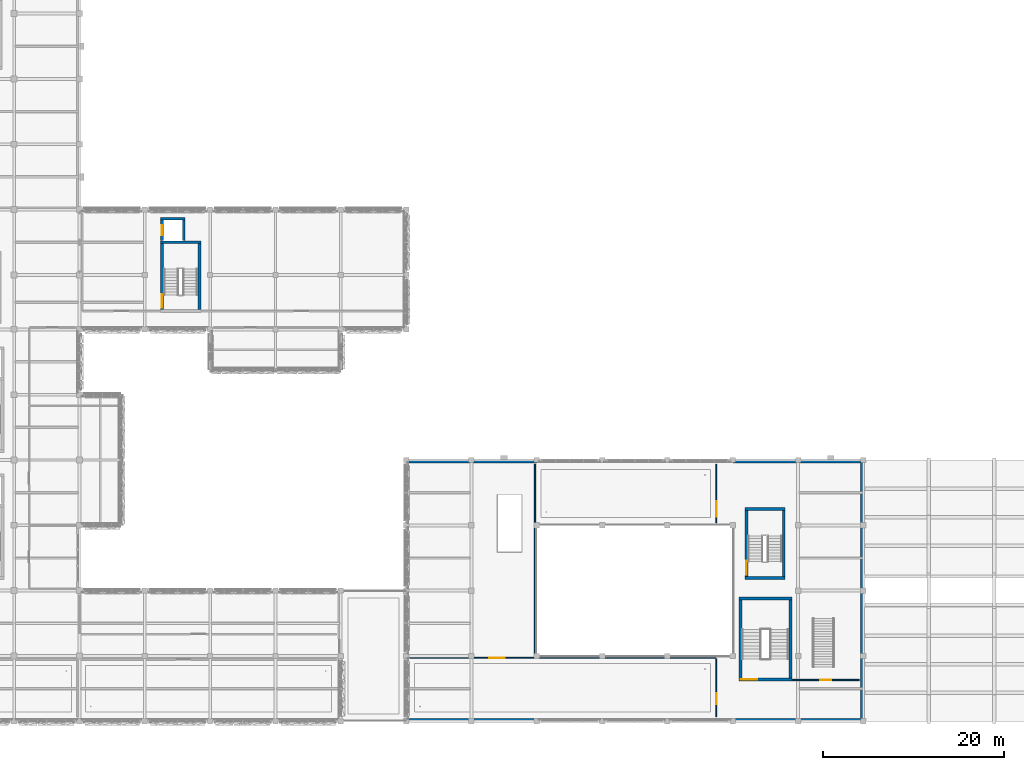
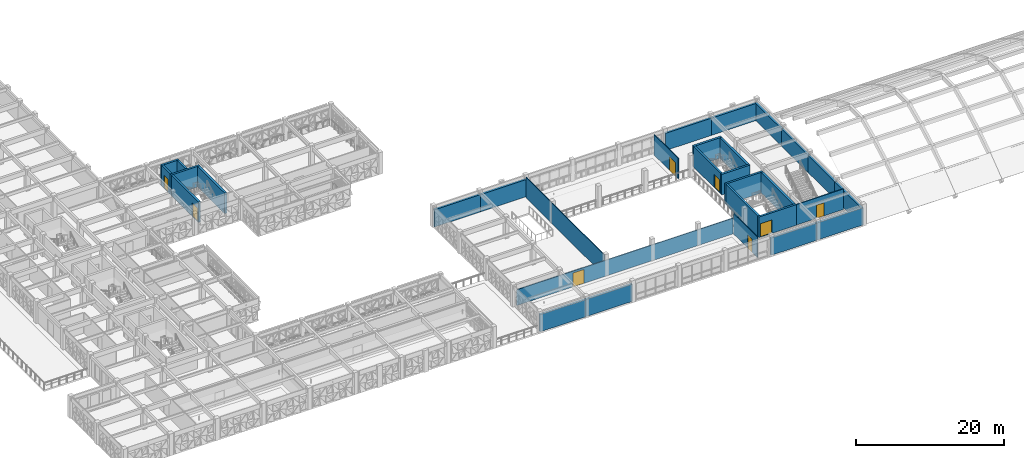
# One storey, part 46 of 85: 31 walls, 8 doors, 8 openings.
"""IFC4 building model written with IfcOpenShell, lengths in metres."""

import ifcopenshell
import ifcopenshell.guid

model = None  # the IFC model being written
_history = None  # IfcOwnerHistory: only IFC2X3 demands one
_inside = {}  # id of a spatial element -> (the spatial element, [elements in it])
_under = {}  # id of a project, library or spatial element -> (it, [spatial elements below it])
_declared = {}  # id of a project -> (the project, [libraries it declares])
_typed = {}  # id of a type object -> (the type object, [elements of that type])
_made_of = {}  # id of a material, layer set ... -> (it, [elements and type objects made of it])


def new_model(schema):
    """Start an empty IFC model of exactly this schema.

    Asked for "IFC4X3", IfcOpenShell would pick the latest addendum, in which some entities
    have other attributes; the version numbers below select the first issue.
    IFC2X3 requires an IfcOwnerHistory on every rooted entity: one is made here for all.
    """
    global model, _history
    if schema == "IFC4X3":
        model = ifcopenshell.file(schema_version=(4, 3, 0, 0))
    else:
        model = ifcopenshell.file(schema=schema)
    _inside.clear()
    _under.clear()
    _declared.clear()
    _typed.clear()
    _made_of.clear()
    _history = None
    if model.schema == "IFC2X3":
        org = make("IfcOrganization", Name="unknown")
        user = make(
            "IfcPersonAndOrganization",
            ThePerson=make("IfcPerson", FamilyName="unknown"),
            TheOrganization=org,
        )
        app = make(
            "IfcApplication",
            ApplicationDeveloper=org,
            Version="unknown",
            ApplicationFullName="unknown",
            ApplicationIdentifier="unknown",
        )
        _history = make(
            "IfcOwnerHistory",
            OwningUser=user,
            OwningApplication=app,
            ChangeAction="ADDED",
            CreationDate=0,
        )
    return model


def make(cls, **values):
    """One entity of the class cls with the attributes given. An attribute that is None is left unset."""
    return model.create_entity(
        cls, **{name: value for name, value in values.items() if value is not None}
    )


def rooted(cls, **values):
    """An entity with a GlobalId (a new one), such as an element, a storey or a relation."""
    return make(cls, GlobalId=ifcopenshell.guid.new(), OwnerHistory=_history, **values)


def si_unit(unit_type, name, prefix=None):
    """IfcSIUnit, for example si_unit("LENGTHUNIT", "METRE", prefix="MILLI")."""
    return make("IfcSIUnit", UnitType=unit_type, Prefix=prefix, Name=name)


def assignment(units):
    """IfcUnitAssignment: the units of a project."""
    return None if units is None else make("IfcUnitAssignment", Units=units)


def point(xyz):
    """IfcCartesianPoint."""
    return None if xyz is None else make("IfcCartesianPoint", Coordinates=xyz)


def direction(xyz):
    """IfcDirection."""
    return None if xyz is None else make("IfcDirection", DirectionRatios=xyz)


def frame(location, z_axis=None, x_axis=None):
    """IfcAxis2Placement3D, a coordinate frame: its origin and axes. An axis left out is left unset."""
    return make(
        "IfcAxis2Placement3D",
        Location=point(location),
        Axis=direction(z_axis),
        RefDirection=direction(x_axis),
    )


def frame_2d(location, x_axis=None):
    """IfcAxis2Placement2D, a coordinate frame in the plane: its origin and x axis."""
    return make(
        "IfcAxis2Placement2D", Location=point(location), RefDirection=direction(x_axis)
    )


def origin():
    """The frame at (0, 0, 0) with its axes left unset."""
    return frame((0.0, 0.0, 0.0))


def place(relative_to, where):
    """IfcLocalPlacement: puts the frame where relative to a parent placement (None: the world)."""
    return make(
        "IfcLocalPlacement", PlacementRelTo=relative_to, RelativePlacement=where
    )


def context(
    kind, dimensions, precision=None, world=None, true_north=None, identifier=None
):
    """IfcGeometricRepresentationContext, for example the 3D "Model" context."""
    return make(
        "IfcGeometricRepresentationContext",
        ContextIdentifier=identifier,
        ContextType=kind,
        CoordinateSpaceDimension=dimensions,
        Precision=precision,
        WorldCoordinateSystem=world,
        TrueNorth=true_north,
    )


def subcontext(parent, identifier, kind, view, scale=None):
    """IfcGeometricRepresentationSubContext, for example "Body" below "Model"."""
    return make(
        "IfcGeometricRepresentationSubContext",
        ContextIdentifier=identifier,
        ContextType=kind,
        ParentContext=parent,
        TargetScale=scale,
        TargetView=view,
    )


def project(units=None, contexts=None):
    """IfcProject with its units and contexts."""
    return rooted(
        "IfcProject",
        Name="project",
        RepresentationContexts=contexts,
        UnitsInContext=assignment(units),
    )


def spatial(cls, under=None, at=None, **own):
    """A site, building, storey or space (cls), placed at a placement, below another one or the project."""
    s = rooted(cls, ObjectPlacement=at, **own)
    if under is not None:
        _under.setdefault(under.id(), (under, []))[1].append(s)
    return s


def profile(cls, at=None, kind="AREA", **sizes):
    """A parametric profile (cls). Its sizes go by their IFC names, for example OverallWidth=200.0."""
    return make(cls, ProfileType=kind, Position=at, **sizes)


def rectangle(**sizes):
    """IfcRectangleProfileDef."""
    return profile("IfcRectangleProfileDef", **sizes)


def extrude(swept, where, along, depth):
    """IfcExtrudedAreaSolid: the profile swept, set in the frame where, extruded along a direction by depth."""
    return make(
        "IfcExtrudedAreaSolid",
        SweptArea=swept,
        Position=where,
        ExtrudedDirection=direction(along),
        Depth=depth,
    )


def shape(context_of_items, identifier, shape_type, items):
    """IfcShapeRepresentation: the items that make up one representation, for example the "Body"."""
    return make(
        "IfcShapeRepresentation",
        ContextOfItems=context_of_items,
        RepresentationIdentifier=identifier,
        RepresentationType=shape_type,
        Items=items,
    )


def material(Name=None, Category=None):
    """IfcMaterial."""
    return make("IfcMaterial", Name=Name, Category=Category)


def layer(
    of_material, thickness, ventilated=None, Name=None, Category=None, Priority=None
):
    """IfcMaterialLayer: one layer of a wall or slab, of a material (None: an air gap)."""
    return make(
        "IfcMaterialLayer",
        Material=of_material,
        LayerThickness=thickness,
        IsVentilated=ventilated,
        Name=Name,
        Category=Category,
        Priority=Priority,
    )


def layer_set(layers, Name=None):
    """IfcMaterialLayerSet."""
    return make("IfcMaterialLayerSet", MaterialLayers=layers, LayerSetName=Name)


def made_of(thing, what):
    """Note that an element or type object is made of a material, layer set ...; save() writes the relation."""
    if what is not None:
        _made_of.setdefault(what.id(), (what, []))[1].append(thing)
    return thing


def type_object(cls, material=None, **own):
    """A type object (cls), such as IfcWallType, which elements share."""
    return made_of(rooted(cls, **own), material)


def element(
    cls,
    number,
    at=None,
    inside=None,
    cuts=None,
    type_object=None,
    material=None,
    context=None,
    identifier="Body",
    shape_type=None,
    held_by="IfcProductDefinitionShape",
    body=None,
    shapes=None,
    **own,
):
    """One element of the class cls, such as IfcWall. Its Tag is "e" and its number.

    at: its placement. inside: the storey or other place that contains it. cuts: it is an
    opening in that element (IfcRelVoidsElement). A single representation is given by context,
    identifier, shape_type and body (its items); several are given by shapes. held_by: the class
    of the entity that holds the representations. save() writes the other relations.
    """
    e = rooted(cls, Tag="e%d" % number, ObjectPlacement=at, **own)
    if body is not None:
        shapes = [shape(context, identifier, shape_type, body)]
    if shapes is not None:
        e.Representation = make(held_by, Representations=shapes)
    if inside is not None:
        _inside.setdefault(inside.id(), (inside, []))[1].append(e)
    if cuts is not None:
        rooted(
            "IfcRelVoidsElement", RelatingBuildingElement=cuts, RelatedOpeningElement=e
        )
    if type_object is not None:
        _typed.setdefault(type_object.id(), (type_object, []))[1].append(e)
    return made_of(e, material)


def fill(opening, filler):
    """IfcRelFillsElement: the door or window that sits in an opening."""
    return rooted(
        "IfcRelFillsElement",
        RelatingOpeningElement=opening,
        RelatedBuildingElement=filler,
    )


def aggregate(whole, parts):
    """IfcRelAggregates: a whole, such as a stair, and the parts it consists of."""
    return rooted("IfcRelAggregates", RelatingObject=whole, RelatedObjects=parts)


def save(model, path):
    """Write the relations noted so far, then the file.

    IfcRelAggregates (storeys below a building ...), IfcRelContainedInSpatialStructure (elements
    in a storey), IfcRelDefinesByType, IfcRelAssociatesMaterial and IfcRelDeclares: one each for
    every whole, place, type object, material and project.
    """
    for whole, parts in _under.values():
        aggregate(whole, parts)
    for where, things in _inside.values():
        rooted(
            "IfcRelContainedInSpatialStructure",
            RelatedElements=things,
            RelatingStructure=where,
        )
    for kind, things in _typed.values():
        rooted("IfcRelDefinesByType", RelatedObjects=things, RelatingType=kind)
    for what, things in _made_of.values():
        rooted("IfcRelAssociatesMaterial", RelatedObjects=things, RelatingMaterial=what)
    for by, libraries in _declared.values():
        rooted("IfcRelDeclares", RelatingContext=by, RelatedDefinitions=libraries)
    model.write(path)


model = new_model("IFC4")

# Units and contexts
model_context = context("Model", 3, precision=1e-05, world=origin(), true_north=direction((0.0, 1.0)))
body_context = subcontext(model_context, "Body", "Model", "MODEL_VIEW")
ifc_project = project(units=[si_unit("LENGTHUNIT", "METRE"), si_unit("AREAUNIT", "SQUARE_METRE"), si_unit("VOLUMEUNIT", "CUBIC_METRE"), si_unit("PLANEANGLEUNIT", "RADIAN"), si_unit("MASSUNIT", "GRAM", prefix="KILO")], contexts=[model_context])

# Site, building, storey
site_placement = place(None, origin())
site = spatial("IfcSite", under=ifc_project, at=site_placement, CompositionType="ELEMENT")
building_placement = place(site_placement, origin())
building = spatial("IfcBuilding", under=site, at=building_placement, Name="Alvorim Cloister Faculty of Sciences", CompositionType="ELEMENT")
storey_placement = place(building_placement, frame((0.0, 0.0, 8.550048828125)))
storey = spatial("IfcBuildingStorey", under=building, at=storey_placement, Name="L02", CompositionType="ELEMENT", Elevation=8.550048828125)

# Walls
ifc_material_1 = material(Name="Precast Concrete C40", Category="concrete")
ifc_layer_1 = layer(ifc_material_1, 0.320068359375)
ifc_layer_set_1 = layer_set([ifc_layer_1], Name="Precast Concrete C40")
wall_type_1 = type_object("IfcWallType", Name="WL-EXT-PC-320", PredefinedType="SOLIDWALL", material=ifc_layer_set_1)
for number, where, z_axis, x_axis, name in (
    (1, (108.0, 0.159912109375, 0.0), (0.0, 0.0, 1.0), (1.0, 0.0, 0.0), "L02 Exterior Wall WL-0184"),
    (2, (100.800048828125, 0.159912109375, 0.0), (0.0, 0.0, 1.0), (1.0, 0.0, 0.0), "L02 Exterior Wall WL-0185"),
    (3, (72.0, 0.159912109375, 0.0), (0.0, 0.0, 1.0), (1.0, 0.0, 0.0), "L02 Exterior Wall WL-0186"),
    (4, (64.800048828125, 0.159912109375, 0.0), (0.0, 0.0, 1.0), (1.0, 0.0, 0.0), "L02 Exterior Wall WL-0187"),
    (5, (64.800048828125, 28.639892578125, 0.0), (0.0, 0.0, 1.0), (1.0, 0.0, 0.0), "L02 Exterior Wall WL-0188"),
    (6, (72.0, 28.639892578125, 0.0), (0.0, 0.0, 1.0), (1.0, 0.0, 0.0), "L02 Exterior Wall WL-0189"),
    (7, (100.800048828125, 28.639892578125, 0.0), (0.0, 0.0, 1.0), (1.0, 0.0, 0.0), "L02 Exterior Wall WL-0190"),
    (8, (108.0, 28.639892578125, 0.0), (0.0, 0.0, 1.0), (1.0, 0.0, 0.0), "L02 Exterior Wall WL-0191"),
):
    element("IfcWall", number, at=place(storey_placement, frame(where, z_axis=z_axis, x_axis=x_axis)), inside=storey, type_object=wall_type_1, Name=name, PredefinedType="SOLIDWALL", context=body_context, shape_type="SweptSolid", body=[
        extrude(rectangle(XDim=7.199951171875, YDim=0.320068359375, at=frame_2d((3.60009765625, 0.0))), origin(), (0.0, 0.0, 1.0), 2.83984375),
    ])

# Wall, opening, door
ifc_material_2 = material(Name="Acoustic Gypsum Stud Partition", Category="gypsum")
ifc_layer_2 = layer(ifc_material_2, 0.1201171875)
ifc_layer_set_2 = layer_set([ifc_layer_2], Name="Acoustic Gypsum Stud Partition")
wall_type_2 = type_object("IfcWallType", Name="WL-PRT-120", PredefinedType="PARTITIONING", material=ifc_layer_set_2)
wall_1_placement = place(storey_placement, frame((99.0, 0.47998046875, 0.0), z_axis=(0.0, 0.0, 1.0), x_axis=(0.0, 1.0, 0.0)))
wall_1 = element("IfcWall", 9, at=wall_1_placement, inside=storey, type_object=wall_type_2, Name="L02 Atrium South Tutorial Rooms Partition IWL-0572", PredefinedType="PARTITIONING", context=body_context, shape_type="SweptSolid", body=[
    extrude(rectangle(XDim=6.43994140625, YDim=0.1201171875, at=frame_2d((3.219970703125, 0.0))), origin(), (0.0, 0.0, 1.0), 3.375),
])
opening_1_placement = place(wall_1_placement, frame((1.4130859375, 0.0, 0.0)))
opening_1 = element("IfcOpeningElement", 10, at=opening_1_placement, cuts=wall_1, Name="Opening D-L02-139", PredefinedType="OPENING", context=body_context, shape_type="SweptSolid", body=[
    extrude(rectangle(XDim=1.199951171875, YDim=2.14990234375, at=frame_2d((0.60009765625, 1.074951171875))), frame((0.0, 0.072021484375, 0.0), z_axis=(0.0, -1.0, 0.0), x_axis=(1.0, 0.0, 0.0)), (0.0, 0.0, 1.0), 0.14404296875),
])
ifc_material_3 = material(Name="Solid Acoustic Oak Timber", Category="wood")
door_type_1 = type_object("IfcDoorType", Name="DR-SEM-1200x2150", OperationType="NOTDEFINED", PredefinedType="DOOR", material=ifc_material_3)
door_1_placement = place(opening_1_placement, origin())
door_1 = element("IfcDoor", 11, at=door_1_placement, inside=storey, type_object=door_type_1, Name="Atrium South Tutorial Rooms Door D-L02-139", OperationType="SINGLE_SWING_LEFT", OverallHeight=2.14990234375, OverallWidth=1.199951171875, PredefinedType="DOOR", context=body_context, shape_type="SweptSolid", body=[
    extrude(rectangle(XDim=1.199951171875, YDim=2.14990234375, at=frame_2d((0.60009765625, 1.074951171875))), frame((0.0, 0.02490234375, 0.0), z_axis=(0.0, -1.0, 0.0), x_axis=(1.0, 0.0, 0.0)), (0.0, 0.0, 1.0), 0.050048828125),
])
fill(opening_1, door_1)

wall_2_placement = place(storey_placement, frame((65.179931640625, 7.0, 0.0), z_axis=(0.0, 0.0, 1.0), x_axis=(1.0, 0.0, 0.0)))
wall_2 = element("IfcWall", 12, at=wall_2_placement, inside=storey, type_object=wall_type_2, Name="L02 Atrium South Tutorial Rooms Partition IWL-0573", PredefinedType="PARTITIONING", context=body_context, shape_type="SweptSolid", body=[
    extrude(rectangle(XDim=33.739990234375, YDim=0.1201171875, at=frame_2d((16.8701171875, 0.0))), origin(), (0.0, 0.0, 1.0), 2.594970703125),
])
opening_2_placement = place(wall_2_placement, frame((8.780517578125, 0.0, 0.0)))
opening_2 = element("IfcOpeningElement", 13, at=opening_2_placement, cuts=wall_2, Name="Opening D-L02-140", PredefinedType="OPENING", context=body_context, shape_type="SweptSolid", body=[
    extrude(rectangle(XDim=1.699951171875, YDim=2.280029296875, at=frame_2d((0.85009765625, 1.14013671875))), frame((0.0, 0.072021484375, 0.0), z_axis=(0.0, -1.0, 0.0), x_axis=(1.0, 0.0, 0.0)), (0.0, 0.0, 1.0), 0.14404296875),
])
door_type_2 = type_object("IfcDoorType", Name="DR-HALL-1700x2280", OperationType="NOTDEFINED", PredefinedType="DOOR", material=ifc_material_3)
door_2_placement = place(opening_2_placement, origin())
door_2 = element("IfcDoor", 14, at=door_2_placement, inside=storey, type_object=door_type_2, Name="Atrium West Science Reading Terrace Door D-L02-140", OperationType="DOUBLE_DOOR_SINGLE_SWING", OverallHeight=2.280029296875, OverallWidth=1.699951171875, PredefinedType="DOOR", context=body_context, shape_type="SweptSolid", body=[
    extrude(rectangle(XDim=1.699951171875, YDim=2.280029296875, at=frame_2d((0.85009765625, 1.14013671875))), frame((0.0, 0.02490234375, 0.0), z_axis=(0.0, -1.0, 0.0), x_axis=(1.0, 0.0, 0.0)), (0.0, 0.0, 1.0), 0.050048828125),
])
fill(opening_2, door_2)

# Wall
wall_3_placement = place(storey_placement, frame((79.0, 7.10009765625, 0.0), z_axis=(0.0, 0.0, 1.0), x_axis=(0.0, 1.0, 0.0)))
element("IfcWall", 15, at=wall_3_placement, inside=storey, type_object=wall_type_2, Name="L02 Atrium West Science Reading Terrace Partition IWL-0574", PredefinedType="PARTITIONING", context=body_context, shape_type="SweptSolid", body=[
    extrude(rectangle(XDim=21.219970703125, YDim=0.1201171875, at=frame_2d((10.60986328125, 0.0))), origin(), (0.0, 0.0, 1.0), 3.375),
])

# Wall, opening, door
wall_4_placement = place(storey_placement, frame((99.0, 21.8798828125, 0.0), z_axis=(0.0, 0.0, 1.0), x_axis=(0.0, 1.0, 0.0)))
wall_4 = element("IfcWall", 16, at=wall_4_placement, inside=storey, type_object=wall_type_2, Name="L02 Atrium North Study Bridge Partition IWL-0575", PredefinedType="PARTITIONING", context=body_context, shape_type="SweptSolid", body=[
    extrude(rectangle(XDim=6.440185546875, YDim=0.1201171875, at=frame_2d((3.22021484375, 0.0))), origin(), (0.0, 0.0, 1.0), 3.375),
])
opening_3_placement = place(wall_4_placement, frame((0.659912109375, 0.0, 0.0)))
opening_3 = element("IfcOpeningElement", 17, at=opening_3_placement, cuts=wall_4, Name="Opening D-L02-141", PredefinedType="OPENING", context=body_context, shape_type="SweptSolid", body=[
    extrude(rectangle(XDim=1.699951171875, YDim=2.280029296875, at=frame_2d((0.85009765625, 1.14013671875))), frame((0.0, 0.072021484375, 0.0), z_axis=(0.0, -1.0, 0.0), x_axis=(1.0, 0.0, 0.0)), (0.0, 0.0, 1.0), 0.14404296875),
])
door_3_placement = place(opening_3_placement, origin())
door_3 = element("IfcDoor", 18, at=door_3_placement, inside=storey, type_object=door_type_2, Name="Atrium North Study Bridge Door D-L02-141", OperationType="DOUBLE_DOOR_SINGLE_SWING", OverallHeight=2.280029296875, OverallWidth=1.699951171875, PredefinedType="DOOR", context=body_context, shape_type="SweptSolid", body=[
    extrude(rectangle(XDim=1.699951171875, YDim=2.280029296875, at=frame_2d((0.85009765625, 1.14013671875))), frame((0.0, 0.02490234375, 0.0), z_axis=(0.0, -1.0, 0.0), x_axis=(1.0, 0.0, 0.0)), (0.0, 0.0, 1.0), 0.050048828125),
])
fill(opening_3, door_3)

wall_5_placement = place(storey_placement, frame((107.3798828125, 4.550048828125, 0.0), z_axis=(0.0, 0.0, 1.0), x_axis=(1.0, 0.0, 0.0)))
wall_5 = element("IfcWall", 19, at=wall_5_placement, inside=storey, type_object=wall_type_2, Name="L02 East Atrium Seminar Room 205 Partition IWL-0576", PredefinedType="PARTITIONING", context=body_context, shape_type="SweptSolid", body=[
    extrude(rectangle(XDim=7.340087890625, YDim=0.1201171875, at=frame_2d((3.669921875, 0.0))), origin(), (0.0, 0.0, 1.0), 3.375),
])
opening_4_placement = place(wall_5_placement, frame((3.070068359375, 0.0, 0.0)))
opening_4 = element("IfcOpeningElement", 20, at=opening_4_placement, cuts=wall_5, Name="Opening D-L02-142", PredefinedType="OPENING", context=body_context, shape_type="SweptSolid", body=[
    extrude(rectangle(XDim=1.199951171875, YDim=2.14990234375, at=frame_2d((0.60009765625, 1.074951171875))), frame((0.0, 0.072021484375, 0.0), z_axis=(0.0, -1.0, 0.0), x_axis=(1.0, 0.0, 0.0)), (0.0, 0.0, 1.0), 0.14404296875),
])
door_4_placement = place(opening_4_placement, origin())
door_4 = element("IfcDoor", 21, at=door_4_placement, inside=storey, type_object=door_type_1, Name="East Atrium Seminar Room 205 Door D-L02-142", OperationType="SINGLE_SWING_RIGHT", OverallHeight=2.14990234375, OverallWidth=1.199951171875, PredefinedType="DOOR", context=body_context, shape_type="SweptSolid", body=[
    extrude(rectangle(XDim=1.199951171875, YDim=2.14990234375, at=frame_2d((0.60009765625, 1.074951171875))), frame((0.0, 0.02490234375, 0.0), z_axis=(0.0, -1.0, 0.0), x_axis=(1.0, 0.0, 0.0)), (0.0, 0.0, 1.0), 0.050048828125),
])
fill(opening_4, door_4)

# Wall
ifc_material_4 = material(Name="Concrete C40", Category="concrete")
ifc_layer_3 = layer(ifc_material_4, 0.300048828125)
ifc_layer_set_3 = layer_set([ifc_layer_3], Name="Concrete C40")
wall_type_3 = type_object("IfcWallType", Name="WL-SHR-300", PredefinedType="SHEAR", material=ifc_layer_set_3)
wall_6_placement = place(storey_placement, frame((37.75, 55.39990234375, 0.0), z_axis=(0.0, 0.0, 1.0), x_axis=(1.0, 0.0, 0.0)))
element("IfcWall", 22, at=wall_6_placement, inside=storey, type_object=wall_type_3, Name="L02 Lift LP-04 Shaft Wall IWL-0347", PredefinedType="SHEAR", context=body_context, shape_type="SweptSolid", body=[
    extrude(rectangle(XDim=2.699951171875, YDim=0.300048828125, at=frame_2d((1.35009765625, 0.0))), origin(), (0.0, 0.0, 1.0), 3.389892578125),
])

# Wall, opening, door
wall_7_placement = place(storey_placement, frame((37.89990234375, 52.97998046875, 0.0), z_axis=(0.0, 0.0, 1.0), x_axis=(0.0, 1.0, 0.0)))
wall_7 = element("IfcWall", 23, at=wall_7_placement, inside=storey, type_object=wall_type_3, Name="L02 Lift LP-04 Shaft Wall IWL-0348", PredefinedType="SHEAR", context=body_context, shape_type="SweptSolid", body=[
    extrude(rectangle(XDim=2.27001953125, YDim=0.300048828125, at=frame_2d((1.135009765625, 0.0))), origin(), (0.0, 0.0, 1.0), 3.389892578125),
])
opening_5_placement = place(wall_7_placement, frame((0.5849609375, 0.0, 0.0)))
opening_5 = element("IfcOpeningElement", 24, at=opening_5_placement, cuts=wall_7, Name="Opening LD-046", PredefinedType="OPENING", context=body_context, shape_type="SweptSolid", body=[
    extrude(rectangle(XDim=1.10009765625, YDim=2.199951171875, at=frame_2d((0.550048828125, 1.10009765625))), frame((0.0, 0.162109375, 0.0), z_axis=(0.0, -1.0, 0.0), x_axis=(1.0, 0.0, 0.0)), (0.0, 0.0, 1.0), 0.323974609375),
])
ifc_material_5 = material(Name="Brushed Stainless Steel", Category="steel")
door_type_3 = type_object("IfcDoorType", Name="DR-LFT-1100x2200", OperationType="NOTDEFINED", PredefinedType="DOOR", material=ifc_material_5)
door_5_placement = place(opening_5_placement, origin())
door_5 = element("IfcDoor", 25, at=door_5_placement, inside=storey, type_object=door_type_3, Name="L02 Lift LP-04 Sliding Landing Door LD-046", OperationType="DOUBLE_DOOR_SLIDING", OverallHeight=2.199951171875, OverallWidth=1.10009765625, PredefinedType="DOOR", context=body_context, shape_type="SweptSolid", body=[
    extrude(rectangle(XDim=1.10009765625, YDim=2.199951171875, at=frame_2d((0.550048828125, 1.10009765625))), frame((0.0, 0.02490234375, 0.0), z_axis=(0.0, -1.0, 0.0), x_axis=(1.0, 0.0, 0.0)), (0.0, 0.0, 1.0), 0.050048828125),
])
fill(opening_5, door_5)

# Walls
wall_8_placement = place(storey_placement, frame((40.300048828125, 52.97998046875, 0.0), z_axis=(0.0, 0.0, 1.0), x_axis=(0.0, 1.0, 0.0)))
element("IfcWall", 26, at=wall_8_placement, inside=storey, type_object=wall_type_3, Name="L02 Lift LP-04 Shaft Wall IWL-0349", PredefinedType="SHEAR", context=body_context, shape_type="SweptSolid", body=[
    extrude(rectangle(XDim=2.27001953125, YDim=0.300048828125, at=frame_2d((1.135009765625, 0.0))), origin(), (0.0, 0.0, 1.0), 3.389892578125),
])
ifc_layer_4 = layer(ifc_material_4, 0.320068359375)
ifc_layer_set_4 = layer_set([ifc_layer_4], Name="Concrete C40")
wall_type_4 = type_object("IfcWallType", Name="WL-SHR-320", PredefinedType="SHEAR", material=ifc_layer_set_4)
wall_9_placement = place(storey_placement, frame((37.739990234375, 52.800048828125, 0.0), z_axis=(0.0, 0.0, 1.0), x_axis=(1.0, 0.0, 0.0)))
element("IfcWall", 27, at=wall_9_placement, inside=storey, type_object=wall_type_4, Name="L02 CORE K4 Shear Wall IWL-0142", PredefinedType="SHEAR", context=body_context, shape_type="SweptSolid", body=[
    extrude(rectangle(XDim=4.43994140625, YDim=0.320068359375, at=frame_2d((2.219970703125, 0.0))), origin(), (0.0, 0.0, 1.0), 3.389892578125),
])

# Wall, opening, door
wall_10_placement = place(storey_placement, frame((37.89990234375, 45.360107421875, 0.0), z_axis=(0.0, 0.0, 1.0), x_axis=(0.0, 1.0, 0.0)))
wall_10 = element("IfcWall", 28, at=wall_10_placement, inside=storey, type_object=wall_type_4, Name="L02 CORE K4 Shear Wall IWL-0143", PredefinedType="SHEAR", context=body_context, shape_type="SweptSolid", body=[
    extrude(rectangle(XDim=7.27978515625, YDim=0.320068359375, at=frame_2d((3.639892578125, 0.0))), origin(), (0.0, 0.0, 1.0), 3.389892578125),
])
opening_6_placement = place(wall_10_placement, frame((0.219970703125, 0.0, 0.0)))
opening_6 = element("IfcOpeningElement", 29, at=opening_6_placement, cuts=wall_10, Name="Opening SD-K4-L02", PredefinedType="OPENING", context=body_context, shape_type="SweptSolid", body=[
    extrude(rectangle(XDim=1.5, YDim=2.199951171875, at=frame_2d((0.75, 1.10009765625))), frame((0.0, 0.171875, 0.0), z_axis=(0.0, -1.0, 0.0), x_axis=(1.0, 0.0, 0.0)), (0.0, 0.0, 1.0), 0.343994140625),
])
ifc_material_6 = material(Name="Galvanised Fire-Rated Steel", Category="steel")
door_type_4 = type_object("IfcDoorType", Name="DR-STR-1500x2200", OperationType="NOTDEFINED", PredefinedType="DOOR", material=ifc_material_6)
door_6_placement = place(opening_6_placement, origin())
door_6 = element("IfcDoor", 30, at=door_6_placement, inside=storey, type_object=door_type_4, Name="L02 Stair ST-04 Fire Door SD-K4-L02", OperationType="DOUBLE_DOOR_SINGLE_SWING", OverallHeight=2.199951171875, OverallWidth=1.5, PredefinedType="DOOR", context=body_context, shape_type="SweptSolid", body=[
    extrude(rectangle(XDim=1.5, YDim=2.199951171875, at=frame_2d((0.75, 1.10009765625))), frame((0.0, 0.02490234375, 0.0), z_axis=(0.0, -1.0, 0.0), x_axis=(1.0, 0.0, 0.0)), (0.0, 0.0, 1.0), 0.050048828125),
])
fill(opening_6, door_6)

# Walls
wall_11_placement = place(storey_placement, frame((42.02001953125, 45.360107421875, 0.0), z_axis=(0.0, 0.0, 1.0), x_axis=(0.0, 1.0, 0.0)))
element("IfcWall", 31, at=wall_11_placement, inside=storey, type_object=wall_type_4, Name="L02 CORE K4 Shear Wall IWL-0144", PredefinedType="SHEAR", context=body_context, shape_type="SweptSolid", body=[
    extrude(rectangle(XDim=7.27978515625, YDim=0.320068359375, at=frame_2d((3.639892578125, 0.0))), origin(), (0.0, 0.0, 1.0), 3.389892578125),
])
for number, where, z_axis, x_axis, name in (
    (32, (102.139892578125, 15.800048828125, 0.0), (0.0, 0.0, 1.0), (1.0, 0.0, 0.0), "L02 CORE K6 Shear Wall IWL-0197"),
    (33, (102.139892578125, 23.39990234375, 0.0), (0.0, 0.0, 1.0), (1.0, 0.0, 0.0), "L02 CORE K6 Shear Wall IWL-0198"),
):
    element("IfcWall", number, at=place(storey_placement, frame(where, z_axis=z_axis, x_axis=x_axis)), inside=storey, type_object=wall_type_4, Name=name, PredefinedType="SHEAR", context=body_context, shape_type="SweptSolid", body=[
        extrude(rectangle(XDim=4.440185546875, YDim=0.320068359375, at=frame_2d((2.22021484375, 0.0))), origin(), (0.0, 0.0, 1.0), 3.389892578125),
    ])

# Wall, opening, door
wall_12_placement = place(storey_placement, frame((102.300048828125, 15.9599609375, 0.0), z_axis=(0.0, 0.0, 1.0), x_axis=(0.0, 1.0, 0.0)))
wall_12 = element("IfcWall", 34, at=wall_12_placement, inside=storey, type_object=wall_type_4, Name="L02 CORE K6 Shear Wall IWL-0199", PredefinedType="SHEAR", context=body_context, shape_type="SweptSolid", body=[
    extrude(rectangle(XDim=7.280029296875, YDim=0.320068359375, at=frame_2d((3.64013671875, 0.0))), origin(), (0.0, 0.0, 1.0), 3.389892578125),
])
opening_7_placement = place(wall_12_placement, frame((0.219970703125, 0.0, 0.0)))
opening_7 = element("IfcOpeningElement", 35, at=opening_7_placement, cuts=wall_12, Name="Opening SD-K6-L02", PredefinedType="OPENING", context=body_context, shape_type="SweptSolid", body=[
    extrude(rectangle(XDim=1.5, YDim=2.199951171875, at=frame_2d((0.75, 1.10009765625))), frame((0.0, 0.171875, 0.0), z_axis=(0.0, -1.0, 0.0), x_axis=(1.0, 0.0, 0.0)), (0.0, 0.0, 1.0), 0.343994140625),
])
door_7_placement = place(opening_7_placement, origin())
door_7 = element("IfcDoor", 36, at=door_7_placement, inside=storey, type_object=door_type_4, Name="L02 Stair ST-06 Fire Door SD-K6-L02", OperationType="DOUBLE_DOOR_SINGLE_SWING", OverallHeight=2.199951171875, OverallWidth=1.5, PredefinedType="DOOR", context=body_context, shape_type="SweptSolid", body=[
    extrude(rectangle(XDim=1.5, YDim=2.199951171875, at=frame_2d((0.75, 1.10009765625))), frame((0.0, 0.02490234375, 0.0), z_axis=(0.0, -1.0, 0.0), x_axis=(1.0, 0.0, 0.0)), (0.0, 0.0, 1.0), 0.050048828125),
])
fill(opening_7, door_7)

# Wall
wall_13_placement = place(storey_placement, frame((106.419921875, 15.9599609375, 0.0), z_axis=(0.0, 0.0, 1.0), x_axis=(0.0, 1.0, 0.0)))
element("IfcWall", 37, at=wall_13_placement, inside=storey, type_object=wall_type_4, Name="L02 CORE K6 Shear Wall IWL-0200", PredefinedType="SHEAR", context=body_context, shape_type="SweptSolid", body=[
    extrude(rectangle(XDim=7.280029296875, YDim=0.320068359375, at=frame_2d((3.64013671875, 0.0))), origin(), (0.0, 0.0, 1.0), 3.389892578125),
])

# Wall, opening, door
wall_14_placement = place(storey_placement, frame((101.47998046875, 4.60009765625, 0.0), z_axis=(0.0, 0.0, 1.0), x_axis=(1.0, 0.0, 0.0)))
wall_14 = element("IfcWall", 38, at=wall_14_placement, inside=storey, type_object=wall_type_4, Name="L02 CORE K7 Shear Wall IWL-0221", PredefinedType="SHEAR", context=body_context, shape_type="SweptSolid", body=[
    extrude(rectangle(XDim=5.840087890625, YDim=0.320068359375, at=frame_2d((2.919921875, 0.0))), origin(), (0.0, 0.0, 1.0), 3.389892578125),
])
opening_8_placement = place(wall_14_placement, frame((0.219970703125, 0.0, 0.0)))
opening_8 = element("IfcOpeningElement", 39, at=opening_8_placement, cuts=wall_14, Name="Opening SD-K7-L02", PredefinedType="OPENING", context=body_context, shape_type="SweptSolid", body=[
    extrude(rectangle(XDim=1.800048828125, YDim=2.199951171875, at=frame_2d((0.89990234375, 1.10009765625))), frame((0.0, 0.171875, 0.0), z_axis=(0.0, -1.0, 0.0), x_axis=(1.0, 0.0, 0.0)), (0.0, 0.0, 1.0), 0.343994140625),
])
door_type_5 = type_object("IfcDoorType", Name="DR-STR-1800x2200", OperationType="NOTDEFINED", PredefinedType="DOOR", material=ifc_material_6)
door_8_placement = place(opening_8_placement, origin())
door_8 = element("IfcDoor", 40, at=door_8_placement, inside=storey, type_object=door_type_5, Name="L02 Stair ST-12 Fire Door SD-K7-L02", OperationType="DOUBLE_DOOR_SINGLE_SWING", OverallHeight=2.199951171875, OverallWidth=1.800048828125, PredefinedType="DOOR", context=body_context, shape_type="SweptSolid", body=[
    extrude(rectangle(XDim=1.800048828125, YDim=2.199951171875, at=frame_2d((0.89990234375, 1.10009765625))), frame((0.0, 0.02490234375, 0.0), z_axis=(0.0, -1.0, 0.0), x_axis=(1.0, 0.0, 0.0)), (0.0, 0.0, 1.0), 0.050048828125),
])
fill(opening_8, door_8)

# Walls
wall_15_placement = place(storey_placement, frame((101.47998046875, 13.550048828125, 0.0), z_axis=(0.0, 0.0, 1.0), x_axis=(1.0, 0.0, 0.0)))
element("IfcWall", 41, at=wall_15_placement, inside=storey, type_object=wall_type_4, Name="L02 CORE K7 Shear Wall IWL-0222", PredefinedType="SHEAR", context=body_context, shape_type="SweptSolid", body=[
    extrude(rectangle(XDim=5.840087890625, YDim=0.320068359375, at=frame_2d((2.919921875, 0.0))), origin(), (0.0, 0.0, 1.0), 3.389892578125),
])
for number, where, z_axis, x_axis, name in (
    (42, (101.639892578125, 4.760009765625, 0.0), (0.0, 0.0, 1.0), (0.0, 1.0, 0.0), "L02 CORE K7 Shear Wall IWL-0223"),
    (43, (107.159912109375, 4.760009765625, 0.0), (0.0, 0.0, 1.0), (0.0, 1.0, 0.0), "L02 CORE K7 Shear Wall IWL-0224"),
):
    element("IfcWall", number, at=place(storey_placement, frame(where, z_axis=z_axis, x_axis=x_axis)), inside=storey, type_object=wall_type_4, Name=name, PredefinedType="SHEAR", context=body_context, shape_type="SweptSolid", body=[
        extrude(rectangle(XDim=8.6298828125, YDim=0.320068359375, at=frame_2d((4.31494140625, 0.0))), origin(), (0.0, 0.0, 1.0), 3.389892578125),
    ])
ifc_layer_5 = layer(ifc_material_4, 0.320068359375)
ifc_layer_set_5 = layer_set([ifc_layer_5], Name="Concrete C40")
wall_type_5 = type_object("IfcWallType", Name="WL-SHR-EXT-320", PredefinedType="SHEAR", material=ifc_layer_set_5)
wall_16_placement = place(storey_placement, frame((115.0400390625, 21.60009765625, 0.0), z_axis=(0.0, 0.0, 1.0), x_axis=(0.0, 1.0, 0.0)))
element("IfcWall", 44, at=wall_16_placement, inside=storey, type_object=wall_type_5, Name="L02 Exterior Wall WL-0180", PredefinedType="SHEAR", context=body_context, shape_type="SweptSolid", body=[
    extrude(rectangle(XDim=7.199951171875, YDim=0.320068359375, at=frame_2d((3.60009765625, 0.0))), origin(), (0.0, 0.0, 1.0), 2.83984375),
])
wall_17_placement = place(storey_placement, frame((115.0400390625, 14.39990234375, 0.0), z_axis=(0.0, 0.0, 1.0), x_axis=(0.0, 1.0, 0.0)))
element("IfcWall", 45, at=wall_17_placement, inside=storey, type_object=wall_type_5, Name="L02 Exterior Wall WL-0181", PredefinedType="SHEAR", context=body_context, shape_type="SweptSolid", body=[
    extrude(rectangle(XDim=7.2001953125, YDim=0.320068359375, at=frame_2d((3.60009765625, 0.0))), origin(), (0.0, 0.0, 1.0), 2.83984375),
])
for number, where, z_axis, x_axis, name in (
    (46, (115.0400390625, 7.199951171875, 0.0), (0.0, 0.0, 1.0), (0.0, 1.0, 0.0), "L02 Exterior Wall WL-0182"),
    (47, (115.0400390625, 0.0, 0.0), (0.0, 0.0, 1.0), (0.0, 1.0, 0.0), "L02 Exterior Wall WL-0183"),
):
    element("IfcWall", number, at=place(storey_placement, frame(where, z_axis=z_axis, x_axis=x_axis)), inside=storey, type_object=wall_type_5, Name=name, PredefinedType="SHEAR", context=body_context, shape_type="SweptSolid", body=[
        extrude(rectangle(XDim=7.199951171875, YDim=0.320068359375, at=frame_2d((3.60009765625, 0.0))), origin(), (0.0, 0.0, 1.0), 2.83984375),
    ])

save(model, "model.ifc")
